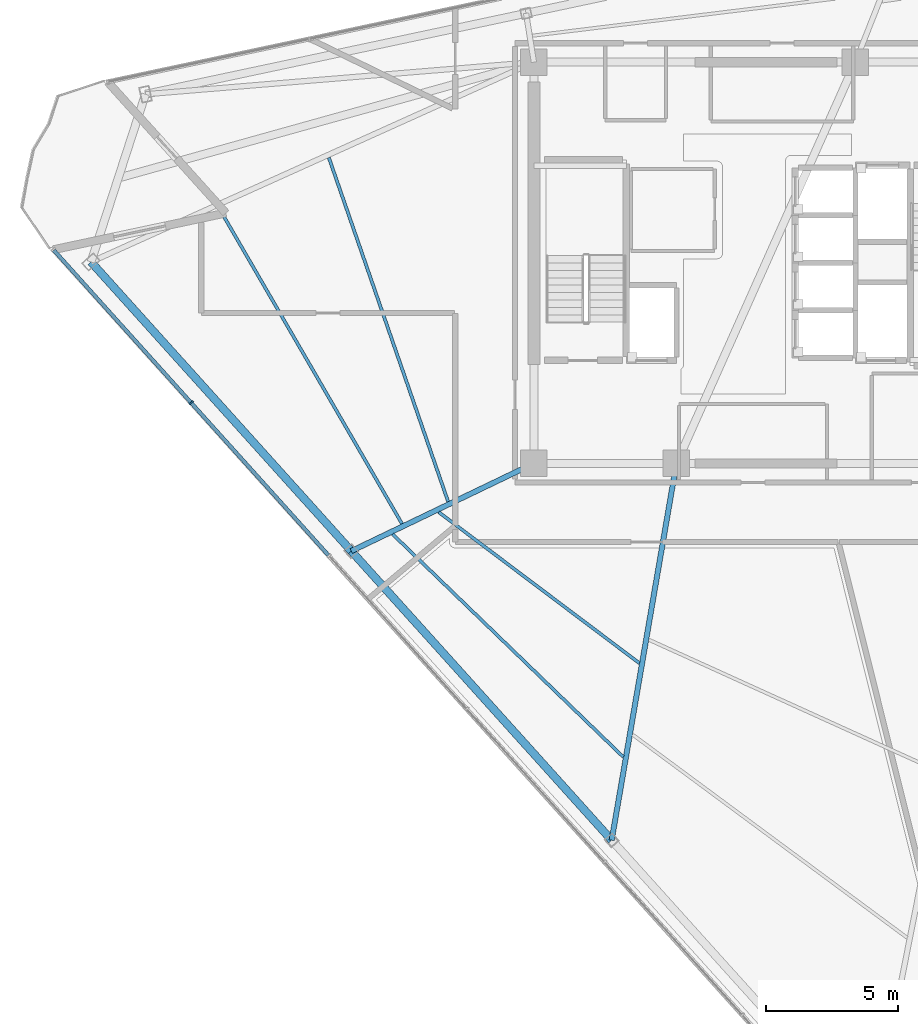
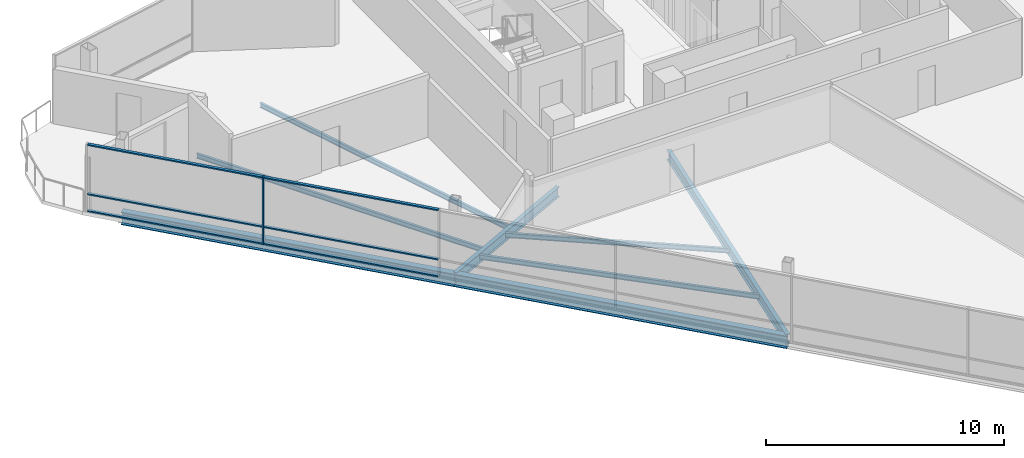
# One storey, part 3 of 15: 8 beams, 7 members, 1 element without a shape of its own.
"""IFC4 building model written with IfcOpenShell, lengths in metres."""

from ifc_helpers import new_model, si_unit, direction, frame, origin, origin_2d, place, context, subcontext, project, spatial, rectangle, i_section, extrude, material, layer, layer_set, material_profile, profile_set, type_object, element, aggregate, save


model = new_model("IFC4")

# Units and contexts
model_context = context("Model", 3, precision=1e-05, world=origin(), true_north=direction((0.0, 1.0)))
body_context = subcontext(model_context, "Body", "Model", "MODEL_VIEW")
ifc_project = project(units=[si_unit("LENGTHUNIT", "METRE"), si_unit("AREAUNIT", "SQUARE_METRE"), si_unit("VOLUMEUNIT", "CUBIC_METRE"), si_unit("PLANEANGLEUNIT", "RADIAN"), si_unit("MASSUNIT", "GRAM", prefix="KILO")], contexts=[model_context])

# Site, building, storey
site_placement = place(None, origin())
site = spatial("IfcSite", under=ifc_project, at=site_placement, CompositionType="ELEMENT")
building_placement = place(site_placement, origin())
building = spatial("IfcBuilding", under=site, at=building_placement, Name="Tharavind Bronze Gate", CompositionType="ELEMENT")
storey_placement = place(building_placement, frame((0.0, 0.0, 290.699951171875)))
storey = spatial("IfcBuildingStorey", under=building, at=storey_placement, Name="L75", CompositionType="ELEMENT", Elevation=290.699951171875)

# Curtain wall, members
ifc_material_1 = material(Name="Anodised Bronze Aluminium", Category="aluminium")
ifc_layer = layer(ifc_material_1, 0.219970703125)
ifc_layer_set = layer_set([ifc_layer], Name="Anodised Bronze Aluminium")
curtain_wall_type = type_object("IfcCurtainWallType", Name="UNITISED CURTAIN WALL CROWN", PredefinedType="USERDEFINED", material=ifc_layer_set)
curtain_wall_placement = place(storey_placement, origin())
curtain_wall = element("IfcCurtainWall", 1, at=curtain_wall_placement, inside=storey, type_object=curtain_wall_type, Name="L75 unitised curtain wall crown CW-L75-S1", ObjectType="UNITISED CURTAIN WALL", PredefinedType="USERDEFINED")
member_type_1 = type_object("IfcMemberType", Name="CURTAIN WALL BRONZE MULLION 65X180", PredefinedType="MULLION", material=ifc_material_1)
member_1_placement = place(storey_placement, frame((-21.88427734375, -5.30322265625, 0.0), z_axis=(0.0, 0.0, 1.0), x_axis=(0.669130606359, -0.743144825477, 0.0)))
member_1 = element("IfcMember", 2, at=member_1_placement, type_object=member_type_1, Name="CW-L75-S1 mullion 2", PredefinedType="MULLION", context=body_context, shape_type="SweptSolid", body=[
    extrude(rectangle(XDim=0.06494140625, YDim=0.179931640625, at=origin_2d()), origin(), (0.0, 0.0, 1.0), 3.465087890625),
])
member_type_2 = type_object("IfcMemberType", Name="CURTAIN WALL BRONZE TRANSOM 65X140", PredefinedType="USERDEFINED", material=ifc_material_1)
member_2_placement = place(storey_placement, frame((-24.494873046875, -2.404052734375, 0.0), z_axis=(0.0, 0.0, 1.0), x_axis=(0.669130606359, -0.743144825477, 0.0)))
member_2 = element("IfcMember", 3, at=member_2_placement, type_object=member_type_2, Name="CW-L75-S1 transom TB1", ObjectType="TRANSOM", PredefinedType="USERDEFINED", context=body_context, shape_type="SweptSolid", body=[
    extrude(rectangle(XDim=7.749755859375, YDim=0.139892578125, at=origin_2d()), origin(), (0.0, 0.0, 1.0), 0.06494140625),
])
member_3_placement = place(storey_placement, frame((-24.494873046875, -2.404052734375, 0.86767578125), z_axis=(0.0, 0.0, 1.0), x_axis=(0.669130606359, -0.743144825477, 0.0)))
member_3 = element("IfcMember", 4, at=member_3_placement, type_object=member_type_2, Name="CW-L75-S1 transom TS1", ObjectType="TRANSOM", PredefinedType="USERDEFINED", context=body_context, shape_type="SweptSolid", body=[
    extrude(rectangle(XDim=7.749755859375, YDim=0.139892578125, at=origin_2d()), origin(), (0.0, 0.0, 1.0), 0.06494140625),
])
member_4_placement = place(storey_placement, frame((-24.494873046875, -2.404052734375, 3.400146484375), z_axis=(0.0, 0.0, 1.0), x_axis=(0.669130606359, -0.743144825477, 0.0)))
member_4 = element("IfcMember", 5, at=member_4_placement, type_object=member_type_2, Name="CW-L75-S1 transom TT1", ObjectType="TRANSOM", PredefinedType="USERDEFINED", context=body_context, shape_type="SweptSolid", body=[
    extrude(rectangle(XDim=7.749755859375, YDim=0.139892578125, at=origin_2d()), origin(), (0.0, 0.0, 1.0), 0.06494140625),
])
member_5_placement = place(storey_placement, frame((-19.273681640625, -8.20263671875, 0.0), z_axis=(0.0, 0.0, 1.0), x_axis=(0.669130606359, -0.743144825477, 0.0)))
member_5 = element("IfcMember", 6, at=member_5_placement, type_object=member_type_2, Name="CW-L75-S1 transom TB2", ObjectType="TRANSOM", PredefinedType="USERDEFINED", context=body_context, shape_type="SweptSolid", body=[
    extrude(rectangle(XDim=7.749755859375, YDim=0.139892578125, at=origin_2d()), origin(), (0.0, 0.0, 1.0), 0.06494140625),
])
member_6_placement = place(storey_placement, frame((-19.273681640625, -8.20263671875, 0.86767578125), z_axis=(0.0, 0.0, 1.0), x_axis=(0.669130606359, -0.743144825477, 0.0)))
member_6 = element("IfcMember", 7, at=member_6_placement, type_object=member_type_2, Name="CW-L75-S1 transom TS2", ObjectType="TRANSOM", PredefinedType="USERDEFINED", context=body_context, shape_type="SweptSolid", body=[
    extrude(rectangle(XDim=7.749755859375, YDim=0.139892578125, at=origin_2d()), origin(), (0.0, 0.0, 1.0), 0.06494140625),
])
member_7_placement = place(storey_placement, frame((-19.273681640625, -8.20263671875, 3.400146484375), z_axis=(0.0, 0.0, 1.0), x_axis=(0.669130606359, -0.743144825477, 0.0)))
member_7 = element("IfcMember", 8, at=member_7_placement, type_object=member_type_2, Name="CW-L75-S1 transom TT2", ObjectType="TRANSOM", PredefinedType="USERDEFINED", context=body_context, shape_type="SweptSolid", body=[
    extrude(rectangle(XDim=7.749755859375, YDim=0.139892578125, at=origin_2d()), origin(), (0.0, 0.0, 1.0), 0.06494140625),
])
aggregate(curtain_wall, [member_1, member_2, member_3, member_4, member_5, member_6, member_7])

# Beams
ifc_material_2 = material(Name="Steel S355", Category="steel")
ifc_material_profile_1 = material_profile(ifc_material_2, i_section(OverallWidth=0.300048828125, OverallDepth=0.64990234375, WebThickness=0.01611328125, FlangeThickness=0.031005859375, at=origin_2d()), Name="HE650B")
ifc_profile_set_1 = profile_set([ifc_material_profile_1], Name="Steel S355")
beam_type_1 = type_object("IfcBeamType", Name="PRIMARY GIRDER HE650B", PredefinedType="USERDEFINED", material=ifc_profile_set_1)
beam_1_placement = place(storey_placement, frame((-25.6787109375, 0.03173828125, -0.510009765625), z_axis=(0.669125777788, -0.743149173113, 0.0), x_axis=(0.743149173113, 0.669125777788, 0.0)))
element("IfcBeam", 9, at=beam_1_placement, inside=storey, type_object=beam_type_1, Name="L75 primary girder he650b BM-L75-PRG01", ObjectType="GIRDER", PredefinedType="USERDEFINED", context=body_context, shape_type="SweptSolid", body=[
    extrude(i_section(OverallWidth=0.300048828125, OverallDepth=0.64990234375, WebThickness=0.01611328125, FlangeThickness=0.031005859375, at=origin_2d()), origin(), (0.0, 0.0, 1.0), 14.739501953125),
])
beam_2_placement = place(storey_placement, frame((-15.816162109375, -10.921875, -0.510009765625), z_axis=(0.669134014343, -0.7431417569, 0.0), x_axis=(0.7431417569, 0.669134014343, 0.0)))
element("IfcBeam", 10, at=beam_2_placement, inside=storey, type_object=beam_type_1, Name="L75 primary girder he650b BM-L75-PRG02", ObjectType="GIRDER", PredefinedType="USERDEFINED", context=body_context, shape_type="SweptSolid", body=[
    extrude(i_section(OverallWidth=0.300048828125, OverallDepth=0.64990234375, WebThickness=0.01611328125, FlangeThickness=0.031005859375, at=origin_2d()), origin(), (0.0, 0.0, 1.0), 14.7392578125),
])
ifc_material_profile_2 = material_profile(ifc_material_2, i_section(OverallWidth=0.199951171875, OverallDepth=0.5, WebThickness=0.01025390625, FlangeThickness=0.01611328125, at=origin_2d()), Name="IPE500")
ifc_profile_set_2 = profile_set([ifc_material_profile_2], Name="Steel S355")
beam_type_2 = type_object("IfcBeamType", Name="PRIMARY GIRDER IPE500", PredefinedType="USERDEFINED", material=ifc_profile_set_2)
beam_3_placement = place(storey_placement, frame((-15.816162109375, -10.921875, -0.43505859375), z_axis=(0.90142273265, 0.432940015547, 0.0), x_axis=(-0.432940015547, 0.90142273265, 0.0)))
element("IfcBeam", 11, at=beam_3_placement, inside=storey, type_object=beam_type_2, Name="L75 primary girder ipe500 BM-L75-RAD02", ObjectType="GIRDER", PredefinedType="USERDEFINED", context=body_context, shape_type="SweptSolid", body=[
    extrude(i_section(OverallWidth=0.199951171875, OverallDepth=0.5, WebThickness=0.01025390625, FlangeThickness=0.01611328125, at=origin_2d()), origin(), (0.0, 0.0, 1.0), 7.672607421875),
])
beam_4_placement = place(storey_placement, frame((-5.95361328125, -21.875244140625, -0.43505859375), z_axis=(0.169396075944, 0.985548055376, 0.0), x_axis=(-0.985548055376, 0.169396075944, 0.0)))
element("IfcBeam", 12, at=beam_4_placement, inside=storey, type_object=beam_type_2, Name="L75 primary girder ipe500 BM-L75-RAD03", ObjectType="GIRDER", PredefinedType="USERDEFINED", context=body_context, shape_type="SweptSolid", body=[
    extrude(i_section(OverallWidth=0.199951171875, OverallDepth=0.5, WebThickness=0.01025390625, FlangeThickness=0.01611328125, at=origin_2d()), origin(), (0.0, 0.0, 1.0), 14.484375),
])
ifc_material_profile_3 = material_profile(ifc_material_2, i_section(OverallWidth=0.1201171875, OverallDepth=0.239990234375, WebThickness=0.006103515625, FlangeThickness=0.009765625, at=origin_2d()), Name="IPE240")
ifc_profile_set_3 = profile_set([ifc_material_profile_3], Name="Steel S355")
beam_type_3 = type_object("IfcBeamType", Name="SECONDARY FLOOR JOIST IPE240", PredefinedType="JOIST", material=ifc_profile_set_3)
beam_5_placement = place(storey_placement, frame((-16.66796875, 3.982177734375, -0.304931640625), z_axis=(0.327619503862, -0.944809748409, 0.0), x_axis=(0.944809748409, 0.327619503862, 0.0)))
element("IfcBeam", 13, at=beam_5_placement, inside=storey, type_object=beam_type_3, Name="L75 secondary floor joist ipe240 BM-L75-JSTA01", PredefinedType="JOIST", context=body_context, shape_type="SweptSolid", body=[
    extrude(i_section(OverallWidth=0.1201171875, OverallDepth=0.239990234375, WebThickness=0.006103515625, FlangeThickness=0.009765625, at=origin_2d()), origin(), (0.0, 0.0, 1.0), 13.7890625),
])
beam_6_placement = place(storey_placement, frame((-20.84423828125, 2.09814453125, -0.304931640625), z_axis=(0.501531582807, -0.865139336435, 0.0), x_axis=(0.865139336435, 0.501531582807, 0.0)))
element("IfcBeam", 14, at=beam_6_placement, inside=storey, type_object=beam_type_3, Name="L75 secondary floor joist ipe240 BM-L75-JSTB01", PredefinedType="JOIST", context=body_context, shape_type="SweptSolid", body=[
    extrude(i_section(OverallWidth=0.1201171875, OverallDepth=0.239990234375, WebThickness=0.006103515625, FlangeThickness=0.009765625, at=origin_2d()), origin(), (0.0, 0.0, 1.0), 13.85107421875),
])
beam_7_placement = place(storey_placement, frame((-12.507080078125, -9.447265625, -0.304931640625), z_axis=(0.799041209175, -0.601276264325, 0.0), x_axis=(0.601276264325, 0.799041209175, 0.0)))
element("IfcBeam", 15, at=beam_7_placement, inside=storey, type_object=beam_type_3, Name="L75 secondary floor joist ipe240 BM-L75-JSTA02", PredefinedType="JOIST", context=body_context, shape_type="SweptSolid", body=[
    extrude(i_section(OverallWidth=0.1201171875, OverallDepth=0.239990234375, WebThickness=0.006103515625, FlangeThickness=0.009765625, at=origin_2d()), origin(), (0.0, 0.0, 1.0), 9.512939453125),
])
beam_8_placement = place(storey_placement, frame((-14.24951171875, -10.284423828125, -0.304931640625), z_axis=(0.719295778134, -0.694703953896, 0.0), x_axis=(0.694703953896, 0.719295778134, 0.0)))
element("IfcBeam", 16, at=beam_8_placement, inside=storey, type_object=beam_type_3, Name="L75 secondary floor joist ipe240 BM-L75-JSTB02", PredefinedType="JOIST", context=body_context, shape_type="SweptSolid", body=[
    extrude(i_section(OverallWidth=0.1201171875, OverallDepth=0.239990234375, WebThickness=0.006103515625, FlangeThickness=0.009765625, at=origin_2d()), origin(), (0.0, 0.0, 1.0), 12.1416015625),
])

save(model, "model.ifc")
